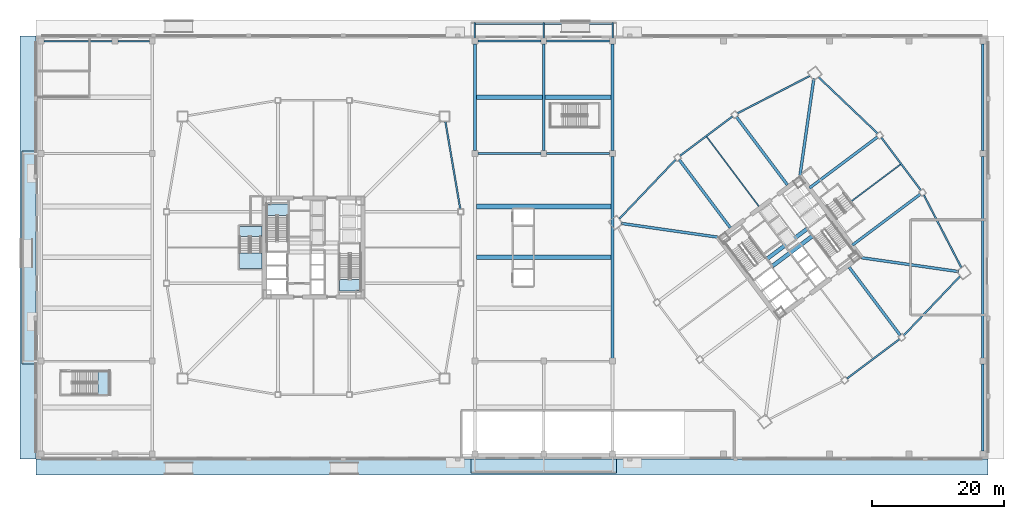
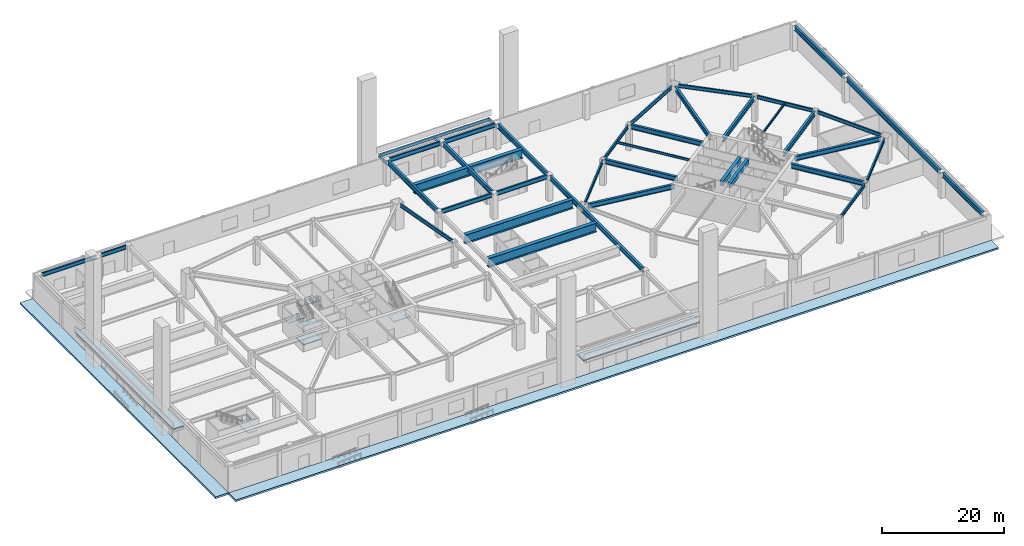
# One storey, part 6 of 26: 41 beams, 10 slabs, 4 elements without a shape of their own.
"""IFC4 building model written with IfcOpenShell, lengths in metres."""

from ifc_helpers import new_model, si_unit, direction, frame, origin, origin_2d, place, context, subcontext, project, spatial, polyline, rectangle, i_section, outline, extrude, material, layer, layer_set, material_profile, profile_set, type_object, element, aggregate, save


model = new_model("IFC4")

# Units and contexts
model_context = context("Model", 3, precision=1e-05, world=origin(), true_north=direction((0.0, 1.0)))
body_context = subcontext(model_context, "Body", "Model", "MODEL_VIEW")
ifc_project = project(units=[si_unit("LENGTHUNIT", "METRE"), si_unit("AREAUNIT", "SQUARE_METRE"), si_unit("VOLUMEUNIT", "CUBIC_METRE"), si_unit("PLANEANGLEUNIT", "RADIAN"), si_unit("MASSUNIT", "GRAM", prefix="KILO")], contexts=[model_context])

# Site, building, storey
site_placement = place(None, origin())
site = spatial("IfcSite", under=ifc_project, at=site_placement, CompositionType="ELEMENT")
building_placement = place(site_placement, origin())
building = spatial("IfcBuilding", under=site, at=building_placement, Name="Tashvorn Skyway Center", CompositionType="ELEMENT")
storey_placement = place(building_placement, origin())
storey = spatial("IfcBuildingStorey", under=building, at=storey_placement, Name="L00", CompositionType="ELEMENT", Elevation=0.0)

# Beams
ifc_material_1 = material(Name="Steel ASTM A572 Grade 50", Category="steel")
ifc_material_profile_1 = material_profile(ifc_material_1, i_section(OverallWidth=0.699951171875, OverallDepth=1.800048828125, WebThickness=0.031982421875, FlangeThickness=0.050048828125, at=origin_2d()), Name="PG1800x700")
ifc_profile_set_1 = profile_set([ifc_material_profile_1], Name="Steel ASTM A572 Grade 50")
beam_type_1 = type_object("IfcBeamType", Name="BM-BEAM-PG1800x700", PredefinedType="BEAM", material=ifc_profile_set_1)
for number, where, z_axis, x_axis, name in (
    (1, (66.6015625, 30.5, 4.239990234375), (1.0, 0.0, 0.0), (0.0, 1.0, 0.0), "L00 Central Concourse Span Girder 05"),
    (2, (66.6015625, 38.199951171875, 4.239990234375), (1.0, 0.0, 0.0), (0.0, 1.0, 0.0), "L00 Central Concourse Span Girder 06"),
    (3, (66.6015625, 54.699951171875, 4.239990234375), (1.0, 0.0, 0.0), (0.0, 1.0, 0.0), "L00 Central Concourse Span Girder 08"),
):
    element("IfcBeam", number, at=place(storey_placement, frame(where, z_axis=z_axis, x_axis=x_axis)), inside=storey, type_object=beam_type_1, Name=name, PredefinedType="BEAM", context=body_context, shape_type="SweptSolid", body=[
        extrude(i_section(OverallWidth=0.699951171875, OverallDepth=1.800048828125, WebThickness=0.031982421875, FlangeThickness=0.050048828125, at=origin_2d()), origin(), (0.0, 0.0, 1.0), 20.39697265625),
    ])
ifc_material_2 = material(Name="Steel ASTM A992 Grade 50", Category="steel")
ifc_material_profile_2 = material_profile(ifc_material_2, i_section(OverallWidth=0.22998046875, OverallDepth=0.616943359375, WebThickness=0.01318359375, FlangeThickness=0.022216796875, at=origin_2d()), Name="W24X94")
ifc_profile_set_2 = profile_set([ifc_material_profile_2], Name="Steel ASTM A992 Grade 50")
beam_type_2 = type_object("IfcBeamType", Name="BM-BEAM-W24X94", PredefinedType="BEAM", material=ifc_profile_set_2)
for number, where, z_axis, x_axis, name in (
    (4, (66.39990234375, 63.199951171875, 4.1416015625), (0.0, 1.0, 0.0), (-1.0, 0.0, 0.0), "L00 North Station Entrance Canopy Bracket 1"),
    (5, (76.800048828125, 63.199951171875, 4.1416015625), (0.0, 1.0, 0.0), (-1.0, 0.0, 0.0), "L00 North Station Entrance Canopy Bracket 2"),
    (6, (87.199951171875, 63.199951171875, 4.1416015625), (0.0, 1.0, 0.0), (-1.0, 0.0, 0.0), "L00 North Station Entrance Canopy Bracket 3"),
):
    element("IfcBeam", number, at=place(storey_placement, frame(where, z_axis=z_axis, x_axis=x_axis)), inside=storey, type_object=beam_type_2, Name=name, PredefinedType="BEAM", context=body_context, shape_type="SweptSolid", body=[
        extrude(i_section(OverallWidth=0.22998046875, OverallDepth=0.616943359375, WebThickness=0.01318359375, FlangeThickness=0.022216796875, at=origin_2d()), origin(), (0.0, 0.0, 1.0), 2.800048828125),
    ])
beam_1_placement = place(storey_placement, frame((66.39990234375, 65.800048828125, 4.1416015625), z_axis=(1.0, 0.0, 0.0), x_axis=(0.0, 1.0, 0.0)))
element("IfcBeam", 7, at=beam_1_placement, inside=storey, type_object=beam_type_2, Name="L00 North Station Canopy Edge Girder", PredefinedType="BEAM", context=body_context, shape_type="SweptSolid", body=[
    extrude(i_section(OverallWidth=0.22998046875, OverallDepth=0.616943359375, WebThickness=0.01318359375, FlangeThickness=0.022216796875, at=origin_2d()), origin(), (0.0, 0.0, 1.0), 20.800048828125),
])
ifc_material_profile_3 = material_profile(ifc_material_2, i_section(OverallWidth=0.26708984375, OverallDepth=0.779052734375, WebThickness=0.0166015625, FlangeThickness=0.030029296875, at=origin_2d()), Name="W30X148")
ifc_profile_set_3 = profile_set([ifc_material_profile_3], Name="Steel ASTM A992 Grade 50")
beam_type_3 = type_object("IfcBeamType", Name="BM-BEAM-W30X148", PredefinedType="BEAM", material=ifc_profile_set_3)
beam_2_placement = place(storey_placement, frame((1.2451171875, 63.199951171875, 4.75048828125), z_axis=(1.0, 0.0, 0.0), x_axis=(0.0, 1.0, 0.0)))
element("IfcBeam", 8, at=beam_2_placement, inside=storey, type_object=beam_type_3, Name="L00 West Edge Girder A 09", PredefinedType="BEAM", context=body_context, shape_type="SweptSolid", body=[
    extrude(i_section(OverallWidth=0.26708984375, OverallDepth=0.779052734375, WebThickness=0.0166015625, FlangeThickness=0.030029296875, at=origin_2d()), origin(), (0.0, 0.0, 1.0), 10.309814453125),
])
beam_3_placement = place(storey_placement, frame((12.445068359375, 63.199951171875, 4.75048828125), z_axis=(1.0, 0.0, 0.0), x_axis=(0.0, 1.0, 0.0)))
element("IfcBeam", 9, at=beam_3_placement, inside=storey, type_object=beam_type_3, Name="L00 West Edge Girder B 09", PredefinedType="BEAM", context=body_context, shape_type="SweptSolid", body=[
    extrude(i_section(OverallWidth=0.26708984375, OverallDepth=0.779052734375, WebThickness=0.0166015625, FlangeThickness=0.030029296875, at=origin_2d()), origin(), (0.0, 0.0, 1.0), 4.7099609375),
])
ifc_material_profile_4 = material_profile(ifc_material_2, i_section(OverallWidth=0.2919921875, OverallDepth=0.85888671875, WebThickness=0.01708984375, FlangeThickness=0.031005859375, at=origin_2d()), Name="W33X169")
ifc_profile_set_4 = profile_set([ifc_material_profile_4], Name="Steel ASTM A992 Grade 50")
beam_type_4 = type_object("IfcBeamType", Name="BM-BEAM-W33X169", PredefinedType="BEAM", material=ifc_profile_set_4)
beam_4_placement = place(storey_placement, frame((66.844970703125, 46.199951171875, 4.71044921875), z_axis=(1.0, 0.0, 0.0), x_axis=(0.0, 1.0, 0.0)))
element("IfcBeam", 10, at=beam_4_placement, inside=storey, type_object=beam_type_4, Name="L00 Central Podium Girder A 07", PredefinedType="BEAM", context=body_context, shape_type="SweptSolid", body=[
    extrude(i_section(OverallWidth=0.2919921875, OverallDepth=0.85888671875, WebThickness=0.01708984375, FlangeThickness=0.031005859375, at=origin_2d()), origin(), (0.0, 0.0, 1.0), 9.510009765625),
])
beam_5_placement = place(storey_placement, frame((77.2451171875, 46.199951171875, 4.71044921875), z_axis=(1.0, 0.0, 0.0), x_axis=(0.0, 1.0, 0.0)))
element("IfcBeam", 11, at=beam_5_placement, inside=storey, type_object=beam_type_4, Name="L00 Central Podium Girder B 07", PredefinedType="BEAM", context=body_context, shape_type="SweptSolid", body=[
    extrude(i_section(OverallWidth=0.2919921875, OverallDepth=0.85888671875, WebThickness=0.01708984375, FlangeThickness=0.031005859375, at=origin_2d()), origin(), (0.0, 0.0, 1.0), 9.509765625),
])
beam_6_placement = place(storey_placement, frame((66.844970703125, 63.199951171875, 4.71044921875), z_axis=(1.0, 0.0, 0.0), x_axis=(0.0, 1.0, 0.0)))
element("IfcBeam", 12, at=beam_6_placement, inside=storey, type_object=beam_type_4, Name="L00 Central Podium Girder A 09", PredefinedType="BEAM", context=body_context, shape_type="SweptSolid", body=[
    extrude(i_section(OverallWidth=0.2919921875, OverallDepth=0.85888671875, WebThickness=0.01708984375, FlangeThickness=0.031005859375, at=origin_2d()), origin(), (0.0, 0.0, 1.0), 9.510009765625),
])
beam_7_placement = place(storey_placement, frame((77.2451171875, 63.199951171875, 4.71044921875), z_axis=(1.0, 0.0, 0.0), x_axis=(0.0, 1.0, 0.0)))
element("IfcBeam", 13, at=beam_7_placement, inside=storey, type_object=beam_type_4, Name="L00 Central Podium Girder B 09", PredefinedType="BEAM", context=body_context, shape_type="SweptSolid", body=[
    extrude(i_section(OverallWidth=0.2919921875, OverallDepth=0.85888671875, WebThickness=0.01708984375, FlangeThickness=0.031005859375, at=origin_2d()), origin(), (0.0, 0.0, 1.0), 9.509765625),
])
ifc_material_3 = material(Name="Steel ASTM A913 Grade 65", Category="steel")
ifc_material_profile_5 = material_profile(ifc_material_3, i_section(OverallWidth=0.4189453125, OverallDepth=0.927001953125, WebThickness=0.019287109375, FlangeThickness=0.031982421875, at=origin_2d()), Name="W36X231")
ifc_profile_set_5 = profile_set([ifc_material_profile_5], Name="Steel ASTM A913 Grade 65")
beam_type_5 = type_object("IfcBeamType", Name="BM-BEAM-W36X231", PredefinedType="BEAM", material=ifc_profile_set_5)
for number, where, z_axis, x_axis, name in (
    (14, (139.532958984375, 28.3525390625, 4.676513671875), (-0.989950458816, 0.141414599991, 0.0), (-0.141414599991, -0.989950458816, 0.0), "Tower 2 L00 Primary Floor Girder MC-SE"),
    (15, (117.6474609375, 57.532958984375, 4.676513671875), (-0.141414599991, -0.989950458816, 0.0), (0.989950458816, -0.141414599991, 0.0), "Tower 2 L00 Primary Floor Girder MC-NE"),
    (16, (88.467041015625, 35.6474609375, 4.676513671875), (0.989950458816, -0.141414599991, 0.0), (0.141414599991, 0.989950458816, 0.0), "Tower 2 L00 Primary Floor Girder MC-NW"),
):
    element("IfcBeam", number, at=place(storey_placement, frame(where, z_axis=z_axis, x_axis=x_axis)), inside=storey, type_object=beam_type_5, Name=name, PredefinedType="BEAM", context=body_context, shape_type="SweptSolid", body=[
        extrude(i_section(OverallWidth=0.4189453125, OverallDepth=0.927001953125, WebThickness=0.019287109375, FlangeThickness=0.031982421875, at=origin_2d()), origin(), (0.0, 0.0, 1.0), 15.177001953125),
    ])
beam_8_placement = place(storey_placement, frame((130.697998046875, 18.736083984375, 4.676513671875), z_axis=(-0.599996960112, 0.800002279907, 0.0), x_axis=(-0.800002279907, -0.599996960112, 0.0)))
element("IfcBeam", 17, at=beam_8_placement, inside=storey, type_object=beam_type_5, Name="Tower 2 L00 Primary Floor Girder FC-S2", PredefinedType="BEAM", context=body_context, shape_type="SweptSolid", body=[
    extrude(i_section(OverallWidth=0.4189453125, OverallDepth=0.927001953125, WebThickness=0.019287109375, FlangeThickness=0.031982421875, at=origin_2d()), origin(), (0.0, 0.0, 1.0), 12.85009765625),
])
beam_9_placement = place(storey_placement, frame((133.743896484375, 40.05810546875, 4.676513671875), z_axis=(-0.799986320265, -0.600018239213, 0.0), x_axis=(0.600018239213, -0.799986320265, 0.0)))
element("IfcBeam", 18, at=beam_9_placement, inside=storey, type_object=beam_type_5, Name="Tower 2 L00 Primary Floor Girder FC-E1", PredefinedType="BEAM", context=body_context, shape_type="SweptSolid", body=[
    extrude(i_section(OverallWidth=0.4189453125, OverallDepth=0.927001953125, WebThickness=0.019287109375, FlangeThickness=0.031982421875, at=origin_2d()), origin(), (0.0, 0.0, 1.0), 12.849853515625),
])
beam_10_placement = place(storey_placement, frame((127.263916015625, 48.697998046875, 4.676513671875), z_axis=(-0.800002279907, -0.599996960112, 0.0), x_axis=(0.599996960112, -0.800002279907, 0.0)))
element("IfcBeam", 19, at=beam_10_placement, inside=storey, type_object=beam_type_5, Name="Tower 2 L00 Primary Floor Girder FC-E2", PredefinedType="BEAM", context=body_context, shape_type="SweptSolid", body=[
    extrude(i_section(OverallWidth=0.4189453125, OverallDepth=0.927001953125, WebThickness=0.019287109375, FlangeThickness=0.031982421875, at=origin_2d()), origin(), (0.0, 0.0, 1.0), 12.85009765625),
])
beam_11_placement = place(storey_placement, frame((105.94189453125, 51.743896484375, 4.676513671875), z_axis=(0.600018239213, -0.799986320265, 0.0), x_axis=(0.799986320265, 0.600018239213, 0.0)))
element("IfcBeam", 20, at=beam_11_placement, inside=storey, type_object=beam_type_5, Name="Tower 2 L00 Primary Floor Girder FC-N1", PredefinedType="BEAM", context=body_context, shape_type="SweptSolid", body=[
    extrude(i_section(OverallWidth=0.4189453125, OverallDepth=0.927001953125, WebThickness=0.019287109375, FlangeThickness=0.031982421875, at=origin_2d()), origin(), (0.0, 0.0, 1.0), 12.849853515625),
])
beam_12_placement = place(storey_placement, frame((97.302001953125, 45.263916015625, 4.676513671875), z_axis=(0.599996960112, -0.800002279907, 0.0), x_axis=(0.800002279907, 0.599996960112, 0.0)))
element("IfcBeam", 21, at=beam_12_placement, inside=storey, type_object=beam_type_5, Name="Tower 2 L00 Primary Floor Girder FC-N2", PredefinedType="BEAM", context=body_context, shape_type="SweptSolid", body=[
    extrude(i_section(OverallWidth=0.4189453125, OverallDepth=0.927001953125, WebThickness=0.019287109375, FlangeThickness=0.031982421875, at=origin_2d()), origin(), (0.0, 0.0, 1.0), 12.85009765625),
])
for number, where, z_axis, x_axis, name in (
    (22, (66.39990234375, 46.64501953125, 4.676513671875), (0.0, 1.0, 0.0), (-1.0, 0.0, 0.0), "L00 North-South Podium Girder 03-N"),
    (23, (76.800048828125, 46.64501953125, 4.676513671875), (0.0, 1.0, 0.0), (-1.0, 0.0, 0.0), "L00 North-South Podium Girder 04-N"),
):
    element("IfcBeam", number, at=place(storey_placement, frame(where, z_axis=z_axis, x_axis=x_axis)), inside=storey, type_object=beam_type_5, Name=name, PredefinedType="BEAM", context=body_context, shape_type="SweptSolid", body=[
        extrude(i_section(OverallWidth=0.4189453125, OverallDepth=0.927001953125, WebThickness=0.019287109375, FlangeThickness=0.031982421875, at=origin_2d()), origin(), (0.0, 0.0, 1.0), 16.10986328125),
    ])
beam_13_placement = place(storey_placement, frame((87.199951171875, 15.2451171875, 4.676513671875), z_axis=(0.0, 1.0, 0.0), x_axis=(-1.0, 0.0, 0.0)))
element("IfcBeam", 24, at=beam_13_placement, inside=storey, type_object=beam_type_5, Name="L00 North-South Podium Girder 05-M", PredefinedType="BEAM", context=body_context, shape_type="SweptSolid", body=[
    extrude(i_section(OverallWidth=0.4189453125, OverallDepth=0.927001953125, WebThickness=0.019287109375, FlangeThickness=0.031982421875, at=origin_2d()), origin(), (0.0, 0.0, 1.0), 30.509765625),
])
beam_14_placement = place(storey_placement, frame((87.199951171875, 46.64501953125, 4.676513671875), z_axis=(0.0, 1.0, 0.0), x_axis=(-1.0, 0.0, 0.0)))
element("IfcBeam", 25, at=beam_14_placement, inside=storey, type_object=beam_type_5, Name="L00 North-South Podium Girder 05-N", PredefinedType="BEAM", context=body_context, shape_type="SweptSolid", body=[
    extrude(i_section(OverallWidth=0.4189453125, OverallDepth=0.927001953125, WebThickness=0.019287109375, FlangeThickness=0.031982421875, at=origin_2d()), origin(), (0.0, 0.0, 1.0), 16.10986328125),
])
beam_15_placement = place(storey_placement, frame((143.199951171875, 1.2451171875, 4.676513671875), z_axis=(0.0, 1.0, 0.0), x_axis=(-1.0, 0.0, 0.0)))
element("IfcBeam", 26, at=beam_15_placement, inside=storey, type_object=beam_type_5, Name="L00 North-South Podium Girder 06-S", PredefinedType="BEAM", context=body_context, shape_type="SweptSolid", body=[
    extrude(i_section(OverallWidth=0.4189453125, OverallDepth=0.927001953125, WebThickness=0.019287109375, FlangeThickness=0.031982421875, at=origin_2d()), origin(), (0.0, 0.0, 1.0), 13.10986328125),
])
beam_16_placement = place(storey_placement, frame((143.199951171875, 15.2451171875, 4.676513671875), z_axis=(0.0, 1.0, 0.0), x_axis=(-1.0, 0.0, 0.0)))
element("IfcBeam", 27, at=beam_16_placement, inside=storey, type_object=beam_type_5, Name="L00 North-South Podium Girder 06-M", PredefinedType="BEAM", context=body_context, shape_type="SweptSolid", body=[
    extrude(i_section(OverallWidth=0.4189453125, OverallDepth=0.927001953125, WebThickness=0.019287109375, FlangeThickness=0.031982421875, at=origin_2d()), origin(), (0.0, 0.0, 1.0), 30.509765625),
])
beam_17_placement = place(storey_placement, frame((143.199951171875, 46.64501953125, 4.676513671875), z_axis=(0.0, 1.0, 0.0), x_axis=(-1.0, 0.0, 0.0)))
element("IfcBeam", 28, at=beam_17_placement, inside=storey, type_object=beam_type_5, Name="L00 North-South Podium Girder 06-N", PredefinedType="BEAM", context=body_context, shape_type="SweptSolid", body=[
    extrude(i_section(OverallWidth=0.4189453125, OverallDepth=0.927001953125, WebThickness=0.019287109375, FlangeThickness=0.031982421875, at=origin_2d()), origin(), (0.0, 0.0, 1.0), 16.10986328125),
])
ifc_material_profile_6 = material_profile(ifc_material_2, i_section(OverallWidth=0.19091796875, OverallDepth=0.4599609375, WebThickness=0.010009765625, FlangeThickness=0.01611328125, at=origin_2d()), Name="W18X55")
ifc_profile_set_6 = profile_set([ifc_material_profile_6], Name="Steel ASTM A992 Grade 50")
beam_type_6 = type_object("IfcBeamType", Name="BM-JOIST-W18X55", PredefinedType="JOIST", material=ifc_profile_set_6)
beam_18_placement = place(storey_placement, frame((109.325927734375, 38.23193359375, 4.909912109375), z_axis=(-0.600002972791, 0.799997770398, 0.0), x_axis=(-0.799997770398, -0.600002972791, 0.0)))
element("IfcBeam", 29, at=beam_18_placement, inside=storey, type_object=beam_type_6, Name="Tower 2 L00 Secondary Composite Joist JN", PredefinedType="JOIST", context=body_context, shape_type="SweptSolid", body=[
    extrude(i_section(OverallWidth=0.19091796875, OverallDepth=0.4599609375, WebThickness=0.010009765625, FlangeThickness=0.01611328125, at=origin_2d()), origin(), (0.0, 0.0, 1.0), 13.139892578125),
])
beam_19_placement = place(storey_placement, frame((123.3359375, 39.001953125, 4.909912109375), z_axis=(0.799990508532, 0.600012655082, 0.0), x_axis=(-0.600012655082, 0.799990508532, 0.0)))
element("IfcBeam", 30, at=beam_19_placement, inside=storey, type_object=beam_type_6, Name="Tower 2 L00 Secondary Composite Joist JE", PredefinedType="JOIST", context=body_context, shape_type="SweptSolid", body=[
    extrude(i_section(OverallWidth=0.19091796875, OverallDepth=0.4599609375, WebThickness=0.010009765625, FlangeThickness=0.01611328125, at=origin_2d()), origin(), (0.0, 0.0, 1.0), 9.260009765625),
])
ifc_material_4 = material(Name="Concrete C60/75", Category="concrete")
ifc_material_profile_7 = material_profile(ifc_material_4, rectangle(XDim=0.60009765625, YDim=0.949951171875, at=origin_2d()), Name="RCB600x950")
ifc_profile_set_7 = profile_set([ifc_material_profile_7], Name="Concrete C60/75")
beam_type_7 = type_object("IfcBeamType", Name="BM-LINTEL-RCB600x950", PredefinedType="LINTEL", material=ifc_profile_set_7)
for number, where, z_axis, x_axis, name in (
    (31, (110.552001953125, 30.263916015625, 4.6650390625), (0.8, 0.6, 0.0), (-0.6, 0.8, 0.0), "Tower 2 L00 Core Coupling Beam CN"),
    (32, (111.367919921875, 29.176025390625, 4.6650390625), (0.8, 0.6, 0.0), (-0.6, 0.8, 0.0), "Tower 2 L00 Core Coupling Beam CS"),
):
    element("IfcBeam", number, at=place(storey_placement, frame(where, z_axis=z_axis, x_axis=x_axis)), inside=storey, type_object=beam_type_7, Name=name, PredefinedType="LINTEL", context=body_context, shape_type="SweptSolid", body=[
        extrude(rectangle(XDim=0.60009765625, YDim=0.949951171875, at=origin_2d()), origin(), (0.0, 0.0, 1.0), 7.60009765625),
    ])
ifc_material_profile_8 = material_profile(ifc_material_2, i_section(OverallWidth=0.256103515625, OverallDepth=0.693115234375, WebThickness=0.014404296875, FlangeThickness=0.023681640625, at=origin_2d()), Name="W27X114")
ifc_profile_set_8 = profile_set([ifc_material_profile_8], Name="Steel ASTM A992 Grade 50")
beam_type_8 = type_object("IfcBeamType", Name="BM-SPANDREL-W27X114", PredefinedType="SPANDREL", material=ifc_profile_set_8)
beam_20_placement = place(storey_placement, frame((64.179443359375, 37.81396484375, 4.79345703125), z_axis=(-0.16771792509, 0.985835025551, 0.0), x_axis=(-0.985835025551, -0.16771792509, 0.0)))
element("IfcBeam", 33, at=beam_20_placement, inside=storey, type_object=beam_type_8, Name="Tower 1 L00 Spandrel Beam 06", PredefinedType="SPANDREL", context=body_context, shape_type="SweptSolid", body=[
    extrude(i_section(OverallWidth=0.256103515625, OverallDepth=0.693115234375, WebThickness=0.014404296875, FlangeThickness=0.023681640625, at=origin_2d()), origin(), (0.0, 0.0, 1.0), 13.39208984375),
])
beam_21_placement = place(storey_placement, frame((122.64599609375, 12.172119140625, 4.79345703125), z_axis=(0.800008824351, 0.599988234018, 0.0), x_axis=(-0.599988234018, 0.800008824351, 0.0)))
element("IfcBeam", 34, at=beam_21_placement, inside=storey, type_object=beam_type_8, Name="Tower 2 L00 Spandrel Beam 02", PredefinedType="SPANDREL", context=body_context, shape_type="SweptSolid", body=[
    extrude(i_section(OverallWidth=0.256103515625, OverallDepth=0.693115234375, WebThickness=0.014404296875, FlangeThickness=0.023681640625, at=origin_2d()), origin(), (0.0, 0.0, 1.0), 9.9599609375),
])
for number, where, z_axis, x_axis, name in (
    (35, (131.23974609375, 18.7041015625, 4.79345703125), (0.689589637236, 0.724200339835, 0.0), (-0.724200339835, 0.689589637236, 0.0), "Tower 2 L00 Spandrel Beam 03"),
    (36, (139.954833984375, 28.9462890625, 4.79345703125), (-0.459233413919, 0.888315637339, 0.0), (-0.888315637339, -0.459233413919, 0.0), "Tower 2 L00 Spandrel Beam 04"),
):
    element("IfcBeam", number, at=place(storey_placement, frame(where, z_axis=z_axis, x_axis=x_axis)), inside=storey, type_object=beam_type_8, Name=name, PredefinedType="SPANDREL", context=body_context, shape_type="SweptSolid", body=[
        extrude(i_section(OverallWidth=0.256103515625, OverallDepth=0.693115234375, WebThickness=0.014404296875, FlangeThickness=0.023681640625, at=origin_2d()), origin(), (0.0, 0.0, 1.0), 12.37255859375),
    ])
beam_22_placement = place(storey_placement, frame((133.827880859375, 40.64599609375, 4.79345703125), z_axis=(-0.599988234018, 0.800008824351, 0.0), x_axis=(-0.800008824351, -0.599988234018, 0.0)))
element("IfcBeam", 37, at=beam_22_placement, inside=storey, type_object=beam_type_8, Name="Tower 2 L00 Spandrel Beam 05", PredefinedType="SPANDREL", context=body_context, shape_type="SweptSolid", body=[
    extrude(i_section(OverallWidth=0.256103515625, OverallDepth=0.693115234375, WebThickness=0.014404296875, FlangeThickness=0.023681640625, at=origin_2d()), origin(), (0.0, 0.0, 1.0), 9.9599609375),
])
for number, where, z_axis, x_axis, name in (
    (38, (127.2958984375, 49.23974609375, 4.79345703125), (-0.724200339835, 0.689589637236, 0.0), (-0.689589637236, -0.724200339835, 0.0), "Tower 2 L00 Spandrel Beam 06"),
    (39, (117.0537109375, 57.954833984375, 4.79345703125), (-0.888315637339, -0.459233413919, 0.0), (0.459233413919, -0.888315637339, 0.0), "Tower 2 L00 Spandrel Beam 07"),
):
    element("IfcBeam", number, at=place(storey_placement, frame(where, z_axis=z_axis, x_axis=x_axis)), inside=storey, type_object=beam_type_8, Name=name, PredefinedType="SPANDREL", context=body_context, shape_type="SweptSolid", body=[
        extrude(i_section(OverallWidth=0.256103515625, OverallDepth=0.693115234375, WebThickness=0.014404296875, FlangeThickness=0.023681640625, at=origin_2d()), origin(), (0.0, 0.0, 1.0), 12.37255859375),
    ])
beam_23_placement = place(storey_placement, frame((105.35400390625, 51.827880859375, 4.79345703125), z_axis=(-0.800008824351, -0.599988234018, 0.0), x_axis=(0.599988234018, -0.800008824351, 0.0)))
element("IfcBeam", 40, at=beam_23_placement, inside=storey, type_object=beam_type_8, Name="Tower 2 L00 Spandrel Beam 08", PredefinedType="SPANDREL", context=body_context, shape_type="SweptSolid", body=[
    extrude(i_section(OverallWidth=0.256103515625, OverallDepth=0.693115234375, WebThickness=0.014404296875, FlangeThickness=0.023681640625, at=origin_2d()), origin(), (0.0, 0.0, 1.0), 9.9599609375),
])
beam_24_placement = place(storey_placement, frame((96.76025390625, 45.2958984375, 4.79345703125), z_axis=(-0.689589637236, -0.724200339835, 0.0), x_axis=(0.724200339835, -0.689589637236, 0.0)))
element("IfcBeam", 41, at=beam_24_placement, inside=storey, type_object=beam_type_8, Name="Tower 2 L00 Spandrel Beam 09", PredefinedType="SPANDREL", context=body_context, shape_type="SweptSolid", body=[
    extrude(i_section(OverallWidth=0.256103515625, OverallDepth=0.693115234375, WebThickness=0.014404296875, FlangeThickness=0.023681640625, at=origin_2d()), origin(), (0.0, 0.0, 1.0), 12.37255859375),
])

# Slabs
ifc_material_5 = material(Name="Concrete C40/50", Category="concrete")
ifc_layer_1 = layer(ifc_material_5, 0.35009765625)
ifc_layer_set_1 = layer_set([ifc_layer_1], Name="Concrete C40/50")
slab_type_1 = type_object("IfcSlabType", Name="SLAB-APRON-350", PredefinedType="BASESLAB", material=ifc_layer_set_1)
slab_1_placement = place(storey_placement, frame((0.0, 0.0, -0.35009765625)))
element("IfcSlab", 42, at=slab_1_placement, inside=storey, type_object=slab_type_1, Name="L00 South Street Forecourt Paving and Driveway Apron", PredefinedType="BASESLAB", context=body_context, shape_type="SweptSolid", body=[
    extrude(outline(polyline([(0.0, -2.39990234375), (144.0, -2.39990234375), (144.0, 0.0), (0.0, 0.0), (0.0, -2.39990234375)])), origin(), (0.0, 0.0, 1.0), 0.35009765625),
])
slab_2_placement = place(storey_placement, frame((0.0, 0.0, -0.35009765625)))
element("IfcSlab", 43, at=slab_2_placement, inside=storey, type_object=slab_type_1, Name="L00 West Plaza Paving", PredefinedType="BASESLAB", context=body_context, shape_type="SweptSolid", body=[
    extrude(outline(polyline([(-2.39990234375, 0.0), (0.0, 0.0), (0.0, 64.0), (-2.39990234375, 64.0), (-2.39990234375, 0.0)])), origin(), (0.0, 0.0, 1.0), 0.35009765625),
])

# Stair, slab
stair_type_1 = type_object("IfcStairType", Name="STAIR-CORE-1500", PredefinedType="HALF_TURN_STAIR", material=ifc_material_5)
stair_1_placement = place(storey_placement, origin())
stair_1 = element("IfcStair", 44, at=stair_1_placement, inside=storey, type_object=stair_type_1, Name="L00 Tower 1 Exit Stair 1", PredefinedType="HALF_TURN_STAIR")
ifc_layer_2 = layer(ifc_material_5, 0.199951171875)
ifc_layer_set_2 = layer_set([ifc_layer_2], Name="Concrete C40/50")
slab_type_2 = type_object("IfcSlabType", Name="SLAB-LAND-200", PredefinedType="LANDING", material=ifc_layer_set_2)
slab_3_placement = place(storey_placement, frame((0.0, 0.0, 2.5)))
slab_3 = element("IfcSlab", 45, at=slab_3_placement, type_object=slab_type_2, Name="ST-T1-1 landing 1", PredefinedType="LANDING", context=body_context, shape_type="SweptSolid", body=[
    extrude(outline(polyline([(38.10009765625, 36.840087890625), (38.10009765625, 38.60009765625), (34.89990234375, 38.60009765625), (34.89990234375, 36.840087890625), (38.10009765625, 36.840087890625)])), origin(), (0.0, 0.0, 1.0), 0.199951171875),
])
aggregate(stair_1, [slab_3])

stair_2_placement = place(storey_placement, origin())
stair_2 = element("IfcStair", 46, at=stair_2_placement, inside=storey, type_object=stair_type_1, Name="L00 Tower 1 Exit Stair 2", PredefinedType="HALF_TURN_STAIR")
slab_4_placement = place(storey_placement, frame((0.0, 0.0, 2.5)))
slab_4 = element("IfcSlab", 47, at=slab_4_placement, type_object=slab_type_2, Name="ST-T1-2 landing 1", PredefinedType="LANDING", context=body_context, shape_type="SweptSolid", body=[
    extrude(outline(polyline([(45.89990234375, 27.159912109375), (45.89990234375, 25.39990234375), (49.10009765625, 25.39990234375), (49.10009765625, 27.159912109375), (45.89990234375, 27.159912109375)])), origin(), (0.0, 0.0, 1.0), 0.199951171875),
])
aggregate(stair_2, [slab_4])

# Stair, slabs
stair_3_placement = place(storey_placement, origin())
stair_3 = element("IfcStair", 48, at=stair_3_placement, inside=storey, type_object=stair_type_1, Name="L00 Tower 1 Exit Stair 3", PredefinedType="HALF_TURN_STAIR")
slab_5_placement = place(storey_placement, frame((0.0, 0.0, 1.14990234375)))
slab_5 = element("IfcSlab", 49, at=slab_5_placement, type_object=slab_type_2, Name="ST-T1-3 landing 1", PredefinedType="LANDING", context=body_context, shape_type="SweptSolid", body=[
    extrude(outline(polyline([(30.800048828125, 31.159912109375), (30.800048828125, 28.800048828125), (34.199951171875, 28.800048828125), (34.199951171875, 31.159912109375), (30.800048828125, 31.159912109375)])), origin(), (0.0, 0.0, 1.0), 0.2001953125),
])
slab_6_placement = place(storey_placement, frame((0.0, 0.0, 2.5)))
slab_6 = element("IfcSlab", 50, at=slab_6_placement, type_object=slab_type_2, Name="ST-T1-3 landing 2", PredefinedType="LANDING", context=body_context, shape_type="SweptSolid", body=[
    extrude(outline(polyline([(30.800048828125, 35.199951171875), (30.800048828125, 33.679931640625), (34.199951171875, 33.679931640625), (34.199951171875, 35.199951171875), (30.800048828125, 35.199951171875)])), origin(), (0.0, 0.0, 1.0), 0.199951171875),
])
slab_7_placement = place(storey_placement, frame((0.0, 0.0, 3.85009765625)))
slab_7 = element("IfcSlab", 51, at=slab_7_placement, type_object=slab_type_2, Name="ST-T1-3 landing 3", PredefinedType="LANDING", context=body_context, shape_type="SweptSolid", body=[
    extrude(outline(polyline([(30.800048828125, 31.159912109375), (30.800048828125, 28.800048828125), (34.199951171875, 28.800048828125), (34.199951171875, 31.159912109375), (30.800048828125, 31.159912109375)])), origin(), (0.0, 0.0, 1.0), 0.199951171875),
])
aggregate(stair_3, [slab_5, slab_6, slab_7])

# Stair, slab
stair_type_2 = type_object("IfcStairType", Name="STAIR-POD-1650", PredefinedType="HALF_TURN_STAIR", material=ifc_material_5)
stair_4_placement = place(storey_placement, origin())
stair_4 = element("IfcStair", 52, at=stair_4_placement, inside=storey, type_object=stair_type_2, Name="L00 Podium West Exit Stair 1", PredefinedType="HALF_TURN_STAIR")
slab_8_placement = place(storey_placement, frame((0.0, 0.0, 2.5)))
slab_8 = element("IfcSlab", 53, at=slab_8_placement, type_object=slab_type_2, Name="ST-POD-1 landing 1", PredefinedType="LANDING", context=body_context, shape_type="SweptSolid", body=[
    extrude(outline(polyline([(9.3701171875, 9.800048828125), (11.10009765625, 9.800048828125), (11.10009765625, 13.300048828125), (9.3701171875, 13.300048828125), (9.3701171875, 9.800048828125)])), origin(), (0.0, 0.0, 1.0), 0.199951171875),
])
aggregate(stair_4, [slab_8])

# Slabs
ifc_layer_3 = layer(ifc_material_5, 0.25)
ifc_layer_set_3 = layer_set([ifc_layer_3], Name="Concrete C40/50")
slab_type_3 = type_object("IfcSlabType", Name="SLAB-ROOF-250", PredefinedType="ROOF", material=ifc_layer_set_3)
slab_9_placement = place(storey_placement, frame((0.0, 0.0, 4.449951171875)))
element("IfcSlab", 54, at=slab_9_placement, inside=storey, type_object=slab_type_3, Name="L00 South Station Entrance Marquee Canopy", PredefinedType="ROOF", context=body_context, shape_type="SweptSolid", body=[
    extrude(outline(polyline([(65.800048828125, -2.10009765625), (87.800048828125, -2.10009765625), (87.800048828125, 0.0), (65.800048828125, 0.0), (65.800048828125, -2.10009765625)])), origin(), (0.0, 0.0, 1.0), 0.25),
])
slab_10_placement = place(storey_placement, frame((0.0, 0.0, 4.449951171875)))
element("IfcSlab", 55, at=slab_10_placement, inside=storey, type_object=slab_type_3, Name="L00 West Station Entrance Marquee Canopy", PredefinedType="ROOF", context=body_context, shape_type="SweptSolid", body=[
    extrude(outline(polyline([(-2.10009765625, 14.39990234375), (0.0, 14.39990234375), (0.0, 46.60009765625), (-2.10009765625, 46.60009765625), (-2.10009765625, 14.39990234375)])), origin(), (0.0, 0.0, 1.0), 0.25),
])

save(model, "model.ifc")
